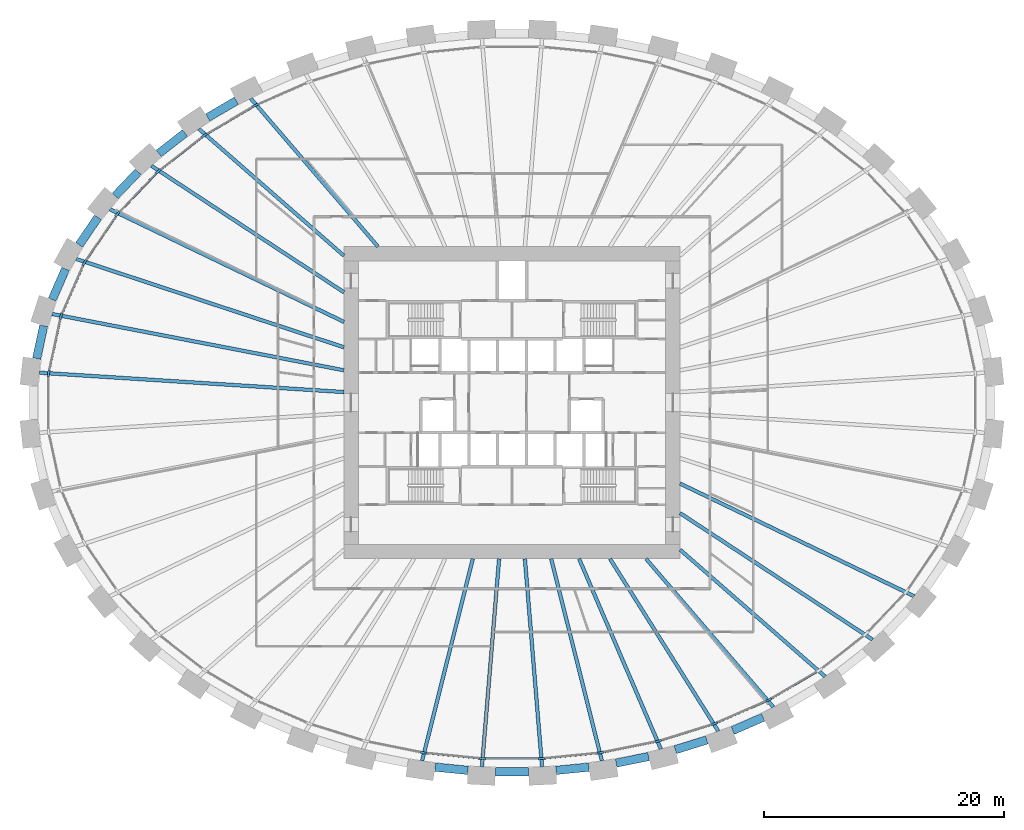
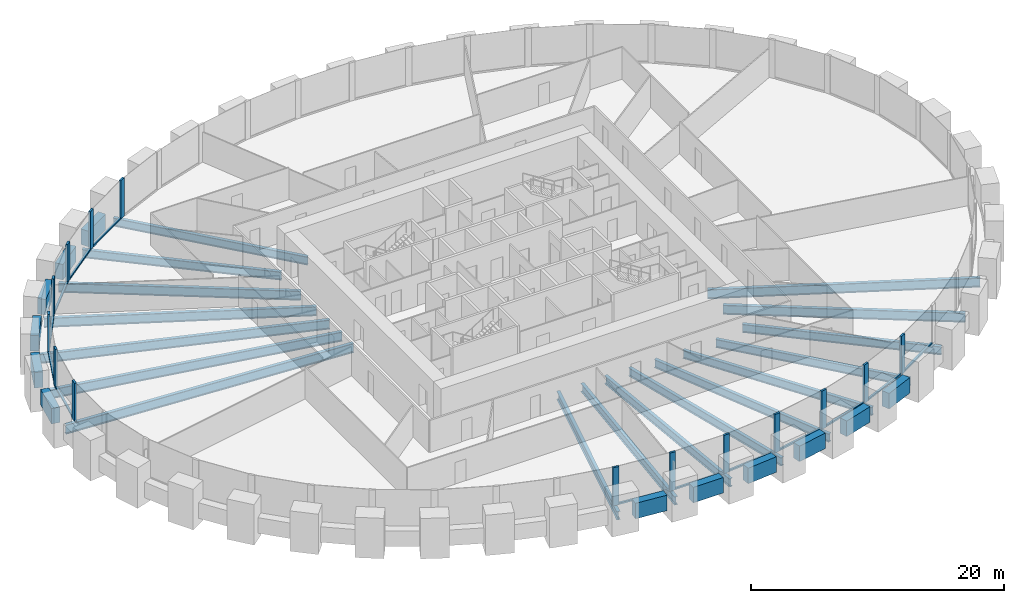
# One storey, part 2 of 11: 29 beams, 27 members, 1 element without a shape of its own.
"""IFC4 building model written with IfcOpenShell, lengths in metres."""

from ifc_helpers import new_model, si_unit, direction, frame, origin, origin_2d, place, context, subcontext, project, spatial, rectangle, i_section, extrude, source, transform, mapped, material, material_profile, profile_set, type_object, element, aggregate, save


model = new_model("IFC4")

# Units and contexts
model_context = context("Model", 3, precision=1e-05, world=origin(), true_north=direction((0.0, 1.0)))
body_context = subcontext(model_context, "Body", "Model", "MODEL_VIEW")
ifc_project = project(units=[si_unit("LENGTHUNIT", "METRE"), si_unit("AREAUNIT", "SQUARE_METRE"), si_unit("VOLUMEUNIT", "CUBIC_METRE"), si_unit("PLANEANGLEUNIT", "RADIAN"), si_unit("MASSUNIT", "GRAM", prefix="KILO")], contexts=[model_context])

# Site, building, storey
site_placement = place(None, origin())
site = spatial("IfcSite", under=ifc_project, at=site_placement, CompositionType="ELEMENT")
building_placement = place(site_placement, origin())
building = spatial("IfcBuilding", under=site, at=building_placement, Name="Embergate Tower", CompositionType="ELEMENT")
storey_placement = place(building_placement, frame((0.0, 0.0, 113.300048828125)))
storey = spatial("IfcBuildingStorey", under=building, at=storey_placement, Name="L24", CompositionType="ELEMENT", Elevation=113.300048828125)

# Beams
ifc_material_1 = material(Name="Concrete C70", Category="concrete")
ifc_material_profile_1 = material_profile(ifc_material_1, rectangle(XDim=0.699951171875, YDim=1.5, at=origin_2d()), Name="RC 700x1500")
ifc_profile_set_1 = profile_set([ifc_material_profile_1], Name="Concrete C70")
beam_type_1 = type_object("IfcBeamType", Name="Spandrel beam RC 700x1500 C70", PredefinedType="BEAM", material=ifc_profile_set_1)
shared_shape_1 = source(origin(), body_context, "Body", "SweptSolid", [
    extrude(rectangle(XDim=0.699951171875, YDim=1.5, at=origin_2d()), origin(), (0.0, 0.0, 1.0), 2.789306640625),
])
beam_1_placement = place(storey_placement, frame((-39.02001953125, 6.409912109375, 0.0), z_axis=(-0.210419662527, -0.977611152566, 0.0), x_axis=(0.977611152566, -0.210419662527, 0.0)))
element("IfcBeam", 1, at=beam_1_placement, inside=storey, type_object=beam_type_1, Name="SPN-L24-20", PredefinedType="BEAM", context=body_context, shape_type="MappedRepresentation", body=[
    mapped(shared_shape_1, transform((0.0, 0.0, 0.0))),
])
shared_shape_2 = source(origin(), body_context, "Body", "SweptSolid", [
    extrude(rectangle(XDim=0.699951171875, YDim=1.5, at=origin_2d()), origin(), (0.0, 0.0, 1.0), 2.78564453125),
])
beam_2_placement = place(storey_placement, frame((-37.193115234375, 11.14892578125, 0.0), z_axis=(-0.401669232295, -0.915784815242, 0.0), x_axis=(0.915784815242, -0.401669232295, 0.0)))
element("IfcBeam", 2, at=beam_2_placement, inside=storey, type_object=beam_type_1, Name="SPN-L24-19", PredefinedType="BEAM", context=body_context, shape_type="MappedRepresentation", body=[
    mapped(shared_shape_2, transform((0.0, 0.0, 0.0))),
])
shared_shape_3 = source(origin(), body_context, "Body", "SweptSolid", [
    extrude(rectangle(XDim=0.699951171875, YDim=1.5, at=origin_2d()), origin(), (0.0, 0.0, 1.0), 2.775634765625),
])
beam_3_placement = place(storey_placement, frame((-34.5009765625, 15.447021484375, 0.0), z_axis=(-0.562430313872, -0.826844690397, 0.0), x_axis=(0.826844690397, -0.562430313872, 0.0)))
element("IfcBeam", 3, at=beam_3_placement, inside=storey, type_object=beam_type_1, Name="SPN-L24-18", PredefinedType="BEAM", context=body_context, shape_type="MappedRepresentation", body=[
    mapped(shared_shape_3, transform((0.0, 0.0, 0.0))),
])
shared_shape_4 = source(origin(), body_context, "Body", "SweptSolid", [
    extrude(rectangle(XDim=0.699951171875, YDim=1.5, at=origin_2d()), origin(), (0.0, 0.0, 1.0), 2.770263671875),
])
beam_4_placement = place(storey_placement, frame((-31.14404296875, 19.241943359375, 0.0), z_axis=(-0.690119345663, -0.723695577395, 0.0), x_axis=(0.723695577395, -0.690119345663, 0.0)))
element("IfcBeam", 4, at=beam_4_placement, inside=storey, type_object=beam_type_1, Name="SPN-L24-17", PredefinedType="BEAM", context=body_context, shape_type="MappedRepresentation", body=[
    mapped(shared_shape_4, transform((0.0, 0.0, 0.0))),
])
shared_shape_5 = source(origin(), body_context, "Body", "SweptSolid", [
    extrude(rectangle(XDim=0.699951171875, YDim=1.5, at=origin_2d()), origin(), (0.0, 0.0, 1.0), 2.762939453125),
])
beam_5_placement = place(storey_placement, frame((-27.248046875, 22.470947265625, 0.0), z_axis=(-0.788304284462, -0.615285588242, 0.0), x_axis=(0.615285588242, -0.788304284462, 0.0)))
element("IfcBeam", 5, at=beam_5_placement, inside=storey, type_object=beam_type_1, Name="SPN-L24-16", PredefinedType="BEAM", context=body_context, shape_type="MappedRepresentation", body=[
    mapped(shared_shape_5, transform((0.0, 0.0, 0.0))),
])
shared_shape_6 = source(origin(), body_context, "Body", "SweptSolid", [
    extrude(rectangle(XDim=0.699951171875, YDim=1.5, at=origin_2d()), origin(), (0.0, 0.0, 1.0), 2.758544921875),
])
beam_6_placement = place(storey_placement, frame((-22.968017578125, 25.162109375, 0.0), z_axis=(-0.862027482261, -0.506861539108, 0.0), x_axis=(0.506861539108, -0.862027482261, 0.0)))
element("IfcBeam", 6, at=beam_6_placement, inside=storey, type_object=beam_type_1, Name="SPN-L24-15", PredefinedType="BEAM", context=body_context, shape_type="MappedRepresentation", body=[
    mapped(shared_shape_6, transform((0.0, 0.0, 0.0))),
])
shared_shape_7 = source(origin(), body_context, "Body", "SweptSolid", [
    extrude(rectangle(XDim=0.699951171875, YDim=1.5, at=origin_2d()), origin(), (0.0, 0.0, 1.0), 2.75537109375),
])
beam_7_placement = place(storey_placement, frame((18.39404296875, -27.31103515625, 0.0), z_axis=(0.916372764163, 0.400326063478, 0.0), x_axis=(-0.400326063478, 0.916372764163, 0.0)))
element("IfcBeam", 7, at=beam_7_placement, inside=storey, type_object=beam_type_1, Name="SPN-L24-36", PredefinedType="BEAM", context=body_context, shape_type="MappedRepresentation", body=[
    mapped(shared_shape_7, transform((0.0, 0.0, 0.0))),
])
shared_shape_8 = source(origin(), body_context, "Body", "SweptSolid", [
    extrude(rectangle(XDim=0.699951171875, YDim=1.5, at=origin_2d()), origin(), (0.0, 0.0, 1.0), 2.750732421875),
])
beam_8_placement = place(storey_placement, frame((13.60595703125, -28.9150390625, 0.0), z_axis=(0.954637769475, 0.297769590609, 0.0), x_axis=(-0.297769590609, 0.954637769475, 0.0)))
element("IfcBeam", 8, at=beam_8_placement, inside=storey, type_object=beam_type_1, Name="SPN-L24-35", PredefinedType="BEAM", context=body_context, shape_type="MappedRepresentation", body=[
    mapped(shared_shape_8, transform((0.0, 0.0, 0.0))),
])
shared_shape_9 = source(origin(), body_context, "Body", "SweptSolid", [
    extrude(rectangle(XDim=0.699951171875, YDim=1.5, at=origin_2d()), origin(), (0.0, 0.0, 1.0), 2.749755859375),
])
beam_9_placement = place(storey_placement, frame((8.680908203125, -30.02392578125, 0.0), z_axis=(0.98045412413, 0.196747834743, 0.0), x_axis=(-0.196747834743, 0.98045412413, 0.0)))
element("IfcBeam", 9, at=beam_9_placement, inside=storey, type_object=beam_type_1, Name="SPN-L24-34", PredefinedType="BEAM", context=body_context, shape_type="MappedRepresentation", body=[
    mapped(shared_shape_9, transform((0.0, 0.0, 0.0))),
])
shared_shape_10 = source(origin(), body_context, "Body", "SweptSolid", [
    extrude(rectangle(XDim=0.699951171875, YDim=1.5, at=origin_2d()), origin(), (0.0, 0.0, 1.0), 2.748291015625),
])
for number, where, z_axis, x_axis, name in (
    (10, (-6.406005859375, -30.363037109375, 0.0), (0.995196843386, -0.097894039223, 0.0), (0.097894039223, 0.995196843386, 0.0), "SPN-L24-31"),
    (11, (3.6708984375, -30.632080078125, 0.0), (0.995196843386, 0.097894039223, 0.0), (-0.097894039223, 0.995196843386, 0.0), "SPN-L24-33"),
):
    element("IfcBeam", number, at=place(storey_placement, frame(where, z_axis=z_axis, x_axis=x_axis)), inside=storey, type_object=beam_type_1, Name=name, PredefinedType="BEAM", context=body_context, shape_type="MappedRepresentation", body=[
        mapped(shared_shape_10, transform((0.0, 0.0, 0.0))),
    ])
shared_shape_11 = source(origin(), body_context, "Body", "SweptSolid", [
    extrude(rectangle(XDim=0.699951171875, YDim=1.5, at=origin_2d()), origin(), (0.0, 0.0, 1.0), 2.748046875),
])
beam_10_placement = place(storey_placement, frame((-1.3740234375, -30.7451171875, 0.0), z_axis=(1.0, 0.0, 0.0), x_axis=(0.0, 1.0, 0.0)))
element("IfcBeam", 12, at=beam_10_placement, inside=storey, type_object=beam_type_1, Name="SPN-L24-32", PredefinedType="BEAM", context=body_context, shape_type="MappedRepresentation", body=[
    mapped(shared_shape_11, transform((0.0, 0.0, 0.0))),
])
ifc_material_2 = material(Name="Steel Q355B", Category="steel")
ifc_material_profile_2 = material_profile(ifc_material_2, i_section(OverallWidth=0.300048828125, OverallDepth=0.89990234375, WebThickness=0.01611328125, FlangeThickness=0.028076171875, FilletRadius=0.028076171875, at=origin_2d()), Name="HN 900x300x16x28")
ifc_profile_set_2 = profile_set([ifc_material_profile_2], Name="Steel Q355 grade B")
beam_type_2 = type_object("IfcBeamType", Name="Radial girder HN 900x300x16x28", PredefinedType="BEAM", material=ifc_profile_set_2)
shared_shape_12 = source(origin(), body_context, "Body", "SweptSolid", [
    extrude(i_section(OverallWidth=0.300048828125, OverallDepth=0.89990234375, WebThickness=0.01611328125, FlangeThickness=0.028076171875, FilletRadius=0.028076171875, at=origin_2d()), origin(), (0.0, 0.0, 1.0), 25.43115234375),
])
beam_11_placement = place(storey_placement, frame((-39.3798828125, 2.501953125, -0.650146484375), z_axis=(0.997986432318, -0.063427761344, 0.0), x_axis=(0.063427761344, 0.997986432318, 0.0)))
element("IfcBeam", 13, at=beam_11_placement, inside=storey, type_object=beam_type_2, Name="GIR-L24-21", PredefinedType="BEAM", context=body_context, shape_type="MappedRepresentation", body=[
    mapped(shared_shape_12, transform((0.0, 0.0, 0.0))),
])
shared_shape_13 = source(origin(), body_context, "Body", "SweptSolid", [
    extrude(i_section(OverallWidth=0.300048828125, OverallDepth=0.89990234375, WebThickness=0.01611328125, FlangeThickness=0.028076171875, FilletRadius=0.028076171875, at=origin_2d()), origin(), (0.0, 0.0, 1.0), 24.775390625),
])
beam_12_placement = place(storey_placement, frame((-38.326904296875, 7.39404296875, -0.650146484375), z_axis=(0.981895013442, -0.189425929, 0.0), x_axis=(0.189425929, 0.981895013442, 0.0)))
element("IfcBeam", 14, at=beam_12_placement, inside=storey, type_object=beam_type_2, Name="GIR-L24-20", PredefinedType="BEAM", context=body_context, shape_type="MappedRepresentation", body=[
    mapped(shared_shape_13, transform((0.0, 0.0, 0.0))),
])
shared_shape_14 = source(origin(), body_context, "Body", "SweptSolid", [
    extrude(i_section(OverallWidth=0.300048828125, OverallDepth=0.89990234375, WebThickness=0.01611328125, FlangeThickness=0.028076171875, FilletRadius=0.028076171875, at=origin_2d()), origin(), (0.0, 0.0, 1.0), 23.499267578125),
])
beam_13_placement = place(storey_placement, frame((-36.31689453125, 11.97705078125, -0.650146484375), z_axis=(0.949685213061, -0.31320599626, 0.0), x_axis=(0.31320599626, 0.949685213061, 0.0)))
element("IfcBeam", 15, at=beam_13_placement, inside=storey, type_object=beam_type_2, Name="GIR-L24-19", PredefinedType="BEAM", context=body_context, shape_type="MappedRepresentation", body=[
    mapped(shared_shape_14, transform((0.0, 0.0, 0.0))),
])
shared_shape_15 = source(origin(), body_context, "Body", "SweptSolid", [
    extrude(i_section(OverallWidth=0.300048828125, OverallDepth=0.89990234375, WebThickness=0.01611328125, FlangeThickness=0.028076171875, FilletRadius=0.028076171875, at=origin_2d()), origin(), (0.0, 0.0, 1.0), 21.641357421875),
])
for number, where, z_axis, x_axis, name in (
    (16, (-33.501953125, 16.116943359375, -0.650146484375), (0.901145989674, -0.433515749765, 0.0), (0.433515749765, 0.901145989674, 0.0), "GIR-L24-18"),
    (17, (33.501953125, -16.116943359375, -0.650146484375), (-0.901145989674, 0.433515749765, 0.0), (-0.433515749765, -0.901145989674, 0.0), "GIR-L24-40"),
):
    element("IfcBeam", number, at=place(storey_placement, frame(where, z_axis=z_axis, x_axis=x_axis)), inside=storey, type_object=beam_type_2, Name=name, PredefinedType="BEAM", context=body_context, shape_type="MappedRepresentation", body=[
        mapped(shared_shape_15, transform((0.0, 0.0, 0.0))),
    ])
shared_shape_16 = source(origin(), body_context, "Body", "SweptSolid", [
    extrude(i_section(OverallWidth=0.300048828125, OverallDepth=0.89990234375, WebThickness=0.01611328125, FlangeThickness=0.028076171875, FilletRadius=0.028076171875, at=origin_2d()), origin(), (0.0, 0.0, 1.0), 19.19970703125),
])
for number, where, z_axis, x_axis, name in (
    (18, (-30.0458984375, 19.741943359375, -0.650146484375), (0.835740827345, -0.549124092996, 0.0), (0.549124092996, 0.835740827345, 0.0), "GIR-L24-17"),
    (19, (30.0458984375, -19.741943359375, -0.650146484375), (-0.835740827345, 0.549124092996, 0.0), (-0.549124092996, -0.835740827345, 0.0), "GIR-L24-39"),
):
    element("IfcBeam", number, at=place(storey_placement, frame(where, z_axis=z_axis, x_axis=x_axis)), inside=storey, type_object=beam_type_2, Name=name, PredefinedType="BEAM", context=body_context, shape_type="MappedRepresentation", body=[
        mapped(shared_shape_16, transform((0.0, 0.0, 0.0))),
    ])
ifc_material_profile_3 = material_profile(ifc_material_2, i_section(OverallWidth=0.300048828125, OverallDepth=0.800048828125, WebThickness=0.013916015625, FlangeThickness=0.02587890625, FilletRadius=0.028076171875, at=origin_2d()), Name="HN 800x300x14x26")
ifc_profile_set_3 = profile_set([ifc_material_profile_3], Name="Steel Q355 grade B")
beam_type_3 = type_object("IfcBeamType", Name="Radial girder HN 800x300x14x26", PredefinedType="BEAM", material=ifc_profile_set_3)
shared_shape_17 = source(origin(), body_context, "Body", "SweptSolid", [
    extrude(i_section(OverallWidth=0.300048828125, OverallDepth=0.800048828125, WebThickness=0.013916015625, FlangeThickness=0.02587890625, FilletRadius=0.028076171875, at=origin_2d()), origin(), (0.0, 0.0, 1.0), 16.071533203125),
])
for number, where, z_axis, x_axis, name in (
    (20, (-26.097900390625, 22.822998046875, -0.60009765625), (0.752748875992, -0.658307777329, 0.0), (0.658307777329, 0.752748875992, 0.0), "GIR-L24-16"),
    (21, (26.097900390625, -22.822998046875, -0.60009765625), (-0.752748875992, 0.658307777329, 0.0), (-0.658307777329, -0.752748875992, 0.0), "GIR-L24-38"),
):
    element("IfcBeam", number, at=place(storey_placement, frame(where, z_axis=z_axis, x_axis=x_axis)), inside=storey, type_object=beam_type_3, Name=name, PredefinedType="BEAM", context=body_context, shape_type="MappedRepresentation", body=[
        mapped(shared_shape_17, transform((0.0, 0.0, 0.0))),
    ])
shared_shape_18 = source(origin(), body_context, "Body", "SweptSolid", [
    extrude(i_section(OverallWidth=0.300048828125, OverallDepth=0.800048828125, WebThickness=0.013916015625, FlangeThickness=0.02587890625, FilletRadius=0.028076171875, at=origin_2d()), origin(), (0.0, 0.0, 1.0), 16.294677734375),
])
for number, where, z_axis, x_axis, name in (
    (22, (-21.779052734375, 25.362060546875, -0.60009765625), (0.651495635829, -0.758652381856, 0.0), (0.758652381856, 0.651495635829, 0.0), "GIR-L24-15"),
    (23, (21.779052734375, -25.362060546875, -0.60009765625), (-0.651495635829, 0.758652381856, 0.0), (-0.758652381856, -0.651495635829, 0.0), "GIR-L24-37"),
):
    element("IfcBeam", number, at=place(storey_placement, frame(where, z_axis=z_axis, x_axis=x_axis)), inside=storey, type_object=beam_type_3, Name=name, PredefinedType="BEAM", context=body_context, shape_type="MappedRepresentation", body=[
        mapped(shared_shape_18, transform((0.0, 0.0, 0.0))),
    ])
shared_shape_19 = source(origin(), body_context, "Body", "SweptSolid", [
    extrude(i_section(OverallWidth=0.300048828125, OverallDepth=0.800048828125, WebThickness=0.013916015625, FlangeThickness=0.02587890625, FilletRadius=0.028076171875, at=origin_2d()), origin(), (0.0, 0.0, 1.0), 16.968017578125),
])
beam_14_placement = place(storey_placement, frame((17.18896484375, -27.368896484375, -0.60009765625), z_axis=(-0.53187684388, 0.846821718513, 0.0), x_axis=(-0.846821718513, -0.53187684388, 0.0)))
element("IfcBeam", 24, at=beam_14_placement, inside=storey, type_object=beam_type_3, Name="GIR-L24-36", PredefinedType="BEAM", context=body_context, shape_type="MappedRepresentation", body=[
    mapped(shared_shape_19, transform((0.0, 0.0, 0.0))),
])
shared_shape_20 = source(origin(), body_context, "Body", "SweptSolid", [
    extrude(i_section(OverallWidth=0.300048828125, OverallDepth=0.800048828125, WebThickness=0.013916015625, FlangeThickness=0.02587890625, FilletRadius=0.028076171875, at=origin_2d()), origin(), (0.0, 0.0, 1.0), 17.261962890625),
])
beam_15_placement = place(storey_placement, frame((12.405029296875, -28.85888671875, -0.60009765625), z_axis=(-0.394921038266, 0.918715066566, 0.0), x_axis=(-0.918715066566, -0.394921038266, 0.0)))
element("IfcBeam", 25, at=beam_15_placement, inside=storey, type_object=beam_type_3, Name="GIR-L24-35", PredefinedType="BEAM", context=body_context, shape_type="MappedRepresentation", body=[
    mapped(shared_shape_20, transform((0.0, 0.0, 0.0))),
])
shared_shape_21 = source(origin(), body_context, "Body", "SweptSolid", [
    extrude(i_section(OverallWidth=0.300048828125, OverallDepth=0.800048828125, WebThickness=0.013916015625, FlangeThickness=0.02587890625, FilletRadius=0.028076171875, at=origin_2d()), origin(), (0.0, 0.0, 1.0), 17.36669921875),
])
for number, where, z_axis, x_axis, name in (
    (26, (-7.491943359375, -29.843994140625, -0.60009765625), (0.243511287378, 0.969898063159, 0.0), (-0.969898063159, 0.243511287378, 0.0), "GIR-L24-31"),
    (27, (7.491943359375, -29.843994140625, -0.60009765625), (-0.243511287378, 0.969898063159, 0.0), (-0.969898063159, -0.243511287378, 0.0), "GIR-L24-34"),
):
    element("IfcBeam", number, at=place(storey_placement, frame(where, z_axis=z_axis, x_axis=x_axis)), inside=storey, type_object=beam_type_3, Name=name, PredefinedType="BEAM", context=body_context, shape_type="MappedRepresentation", body=[
        mapped(shared_shape_21, transform((0.0, 0.0, 0.0))),
    ])
shared_shape_22 = source(origin(), body_context, "Body", "SweptSolid", [
    extrude(i_section(OverallWidth=0.300048828125, OverallDepth=0.800048828125, WebThickness=0.013916015625, FlangeThickness=0.02587890625, FilletRadius=0.028076171875, at=origin_2d()), origin(), (0.0, 0.0, 1.0), 17.393798828125),
])
for number, where, z_axis, x_axis, name in (
    (28, (-2.5048828125, -30.3349609375, -0.60009765625), (0.082264860463, 0.996610502018, 0.0), (-0.996610502018, 0.082264860463, 0.0), "GIR-L24-32"),
    (29, (2.5048828125, -30.3349609375, -0.60009765625), (-0.082264860463, 0.996610502018, 0.0), (-0.996610502018, -0.082264860463, 0.0), "GIR-L24-33"),
):
    element("IfcBeam", number, at=place(storey_placement, frame(where, z_axis=z_axis, x_axis=x_axis)), inside=storey, type_object=beam_type_3, Name=name, PredefinedType="BEAM", context=body_context, shape_type="MappedRepresentation", body=[
        mapped(shared_shape_22, transform((0.0, 0.0, 0.0))),
    ])

# Curtain wall, members
ifc_material_3 = material(Name="Aluminium and glass", Category="aluminium")
curtain_wall_type = type_object("IfcCurtainWallType", Name="Recessed office glazing", PredefinedType="NOTDEFINED", material=ifc_material_3)
curtain_wall_placement = place(storey_placement, origin())
curtain_wall = element("IfcCurtainWall", 30, at=curtain_wall_placement, inside=storey, type_object=curtain_wall_type, Name="Recessed office glazing ring", ObjectType="RECESSED OFFICE GLAZING", PredefinedType="USERDEFINED")
ifc_material_4 = material(Name="Aluminium, thermally broken", Category="aluminium")
ifc_material_profile_4 = material_profile(ifc_material_4, rectangle(XDim=0.179931640625, YDim=0.52001953125, at=origin_2d()), Name="AL 520x180")
ifc_profile_set_4 = profile_set([ifc_material_profile_4], Name="Aluminium, thermally broken")
member_type_1 = type_object("IfcMemberType", Name="Office mullion", PredefinedType="MULLION", material=ifc_profile_set_4)
shared_shape_23 = source(origin(), body_context, "Body", "SweptSolid", [
    extrude(rectangle(XDim=0.179931640625, YDim=0.52001953125, at=origin_2d()), origin(), (0.0, 0.0, 1.0), 3.699951171875),
])
member_1_placement = place(storey_placement, frame((-21.391357421875, 24.768310546875, 0.0), z_axis=(0.0, 0.0, 1.0), x_axis=(0.454516044429, -0.890738550506, 0.0)))
member_1 = element("IfcMember", 31, at=member_1_placement, type_object=member_type_1, Name="CW mullion 16", PredefinedType="MULLION", context=body_context, shape_type="MappedRepresentation", body=[
    mapped(shared_shape_23, transform((0.0, 0.0, 0.0))),
])
member_2_placement = place(storey_placement, frame((-25.6259765625, 22.278564453125, 0.0), z_axis=(0.0, 0.0, 1.0), x_axis=(0.562223392005, -0.826985403428, 0.0)))
member_2 = element("IfcMember", 32, at=member_2_placement, type_object=member_type_1, Name="CW mullion 17", PredefinedType="MULLION", context=body_context, shape_type="MappedRepresentation", body=[
    mapped(shared_shape_23, transform((0.0, 0.0, 0.0))),
])
member_3_placement = place(storey_placement, frame((-29.49365234375, 19.260009765625, 0.0), z_axis=(0.0, 0.0, 1.0), x_axis=(0.671233002577, -0.741246420734, 0.0)))
member_3 = element("IfcMember", 33, at=member_3_placement, type_object=member_type_1, Name="CW mullion 18", PredefinedType="MULLION", context=body_context, shape_type="MappedRepresentation", body=[
    mapped(shared_shape_23, transform((0.0, 0.0, 0.0))),
])
member_4_placement = place(storey_placement, frame((-32.87451171875, 15.714599609375, 0.0), z_axis=(0.0, 0.0, 1.0), x_axis=(0.777879145133, -0.628413904658, 0.0)))
member_4 = element("IfcMember", 34, at=member_4_placement, type_object=member_type_1, Name="CW mullion 19", PredefinedType="MULLION", context=body_context, shape_type="MappedRepresentation", body=[
    mapped(shared_shape_23, transform((0.0, 0.0, 0.0))),
])
member_5_placement = place(storey_placement, frame((-35.62451171875, 11.6708984375, 0.0), z_axis=(0.0, 0.0, 1.0), x_axis=(0.875006965472, -0.484110328723, 0.0)))
member_5 = element("IfcMember", 35, at=member_5_placement, type_object=member_type_1, Name="CW mullion 20", PredefinedType="MULLION", context=body_context, shape_type="MappedRepresentation", body=[
    mapped(shared_shape_23, transform((0.0, 0.0, 0.0))),
])
member_6_placement = place(storey_placement, frame((-37.5849609375, 7.20068359375, 0.0), z_axis=(0.0, 0.0, 1.0), x_axis=(0.951500482757, -0.30764725143, 0.0)))
member_6 = element("IfcMember", 36, at=member_6_placement, type_object=member_type_1, Name="CW mullion 21", PredefinedType="MULLION", context=body_context, shape_type="MappedRepresentation", body=[
    mapped(shared_shape_23, transform((0.0, 0.0, 0.0))),
])
member_7_placement = place(storey_placement, frame((-38.610595703125, 2.435791015625, 0.0), z_axis=(0.0, 0.0, 1.0), x_axis=(0.994385324123, -0.105819786286, 0.0)))
member_7 = element("IfcMember", 37, at=member_7_placement, type_object=member_type_1, Name="CW mullion 22", PredefinedType="MULLION", context=body_context, shape_type="MappedRepresentation", body=[
    mapped(shared_shape_23, transform((0.0, 0.0, 0.0))),
])
member_8_placement = place(storey_placement, frame((-7.3623046875, -29.169189453125, 0.0), z_axis=(0.0, 0.0, 1.0), x_axis=(0.14741410908, 0.98907486089, 0.0)))
member_8 = element("IfcMember", 38, at=member_8_placement, type_object=member_type_1, Name="CW mullion 32", PredefinedType="MULLION", context=body_context, shape_type="MappedRepresentation", body=[
    mapped(shared_shape_23, transform((0.0, 0.0, 0.0))),
])
member_9_placement = place(storey_placement, frame((-2.462158203125, -29.65087890625, 0.0), z_axis=(0.0, 0.0, 1.0), x_axis=(0.048971796621, 0.998800161762, 0.0)))
member_9 = element("IfcMember", 39, at=member_9_placement, type_object=member_type_1, Name="CW mullion 33", PredefinedType="MULLION", context=body_context, shape_type="MappedRepresentation", body=[
    mapped(shared_shape_23, transform((0.0, 0.0, 0.0))),
])
member_10_placement = place(storey_placement, frame((2.462158203125, -29.65087890625, 0.0), z_axis=(0.0, 0.0, 1.0), x_axis=(-0.048971796621, 0.998800161762, 0.0)))
member_10 = element("IfcMember", 40, at=member_10_placement, type_object=member_type_1, Name="CW mullion 34", PredefinedType="MULLION", context=body_context, shape_type="MappedRepresentation", body=[
    mapped(shared_shape_23, transform((0.0, 0.0, 0.0))),
])
member_11_placement = place(storey_placement, frame((7.3623046875, -29.169189453125, 0.0), z_axis=(0.0, 0.0, 1.0), x_axis=(-0.14741410908, 0.98907486089, 0.0)))
member_11 = element("IfcMember", 41, at=member_11_placement, type_object=member_type_1, Name="CW mullion 35", PredefinedType="MULLION", context=body_context, shape_type="MappedRepresentation", body=[
    mapped(shared_shape_23, transform((0.0, 0.0, 0.0))),
])
member_12_placement = place(storey_placement, frame((12.1884765625, -28.201171875, 0.0), z_axis=(0.0, 0.0, 1.0), x_axis=(-0.247315263593, 0.968935065107, 0.0)))
member_12 = element("IfcMember", 42, at=member_12_placement, type_object=member_type_1, Name="CW mullion 36", PredefinedType="MULLION", context=body_context, shape_type="MappedRepresentation", body=[
    mapped(shared_shape_23, transform((0.0, 0.0, 0.0))),
])
member_13_placement = place(storey_placement, frame((16.88623046875, -26.73828125, 0.0), z_axis=(0.0, 0.0, 1.0), x_axis=(-0.34950595337, 0.936934143128, 0.0)))
member_13 = element("IfcMember", 43, at=member_13_placement, type_object=member_type_1, Name="CW mullion 37", PredefinedType="MULLION", context=body_context, shape_type="MappedRepresentation", body=[
    mapped(shared_shape_23, transform((0.0, 0.0, 0.0))),
])
member_14_placement = place(storey_placement, frame((21.391357421875, -24.768310546875, 0.0), z_axis=(0.0, 0.0, 1.0), x_axis=(-0.454516044429, 0.890738550506, 0.0)))
member_14 = element("IfcMember", 44, at=member_14_placement, type_object=member_type_1, Name="CW mullion 38", PredefinedType="MULLION", context=body_context, shape_type="MappedRepresentation", body=[
    mapped(shared_shape_23, transform((0.0, 0.0, 0.0))),
])
ifc_material_profile_5 = material_profile(ifc_material_4, rectangle(XDim=0.179931640625, YDim=0.14990234375, at=origin_2d()), Name="AL 150x180")
ifc_profile_set_5 = profile_set([ifc_material_profile_5], Name="Aluminium, thermally broken")
member_type_2 = type_object("IfcMemberType", Name="Office sill transom", PredefinedType="USERDEFINED", material=ifc_profile_set_5)
shared_shape_24 = source(origin(), body_context, "Body", "SweptSolid", [
    extrude(rectangle(XDim=0.179931640625, YDim=0.14990234375, at=origin_2d()), origin(), (0.0, 0.0, 1.0), 4.361083984375),
])
member_15_placement = place(storey_placement, frame((-35.72900390625, 11.432861328125, 0.074951171875), z_axis=(-0.401614544281, -0.915808799817, 0.0), x_axis=(0.915808799817, -0.401614544281, 0.0)))
member_15 = element("IfcMember", 45, at=member_15_placement, type_object=member_type_2, Name="CW transom 20.1", ObjectType="TRANSOM", PredefinedType="USERDEFINED", context=body_context, shape_type="MappedRepresentation", body=[
    mapped(shared_shape_24, transform((0.0, 0.0, 0.0))),
])
shared_shape_25 = source(origin(), body_context, "Body", "SweptSolid", [
    extrude(rectangle(XDim=0.179931640625, YDim=0.14990234375, at=origin_2d()), origin(), (0.0, 0.0, 1.0), 4.37890625),
])
member_16_placement = place(storey_placement, frame((-29.673095703125, 19.07177734375, 0.074951171875), z_axis=(-0.690125589668, -0.723689623032, 0.0), x_axis=(0.723689623032, -0.690125589668, 0.0)))
member_16 = element("IfcMember", 46, at=member_16_placement, type_object=member_type_2, Name="CW transom 18.1", ObjectType="TRANSOM", PredefinedType="USERDEFINED", context=body_context, shape_type="MappedRepresentation", body=[
    mapped(shared_shape_25, transform((0.0, 0.0, 0.0))),
])
shared_shape_26 = source(origin(), body_context, "Body", "SweptSolid", [
    extrude(rectangle(XDim=0.179931640625, YDim=0.14990234375, at=origin_2d()), origin(), (0.0, 0.0, 1.0), 4.404296875),
])
member_17_placement = place(storey_placement, frame((-2.2021484375, -29.65087890625, 0.074951171875), z_axis=(1.0, 0.0, 0.0), x_axis=(0.0, 1.0, 0.0)))
member_17 = element("IfcMember", 47, at=member_17_placement, type_object=member_type_2, Name="CW transom 33.1", ObjectType="TRANSOM", PredefinedType="USERDEFINED", context=body_context, shape_type="MappedRepresentation", body=[
    mapped(shared_shape_26, transform((0.0, 0.0, 0.0))),
])
shared_shape_27 = source(origin(), body_context, "Body", "SweptSolid", [
    extrude(rectangle(XDim=0.179931640625, YDim=0.14990234375, at=origin_2d()), origin(), (0.0, 0.0, 1.0), 4.354248046875),
])
member_18_placement = place(storey_placement, frame((-37.6396484375, 6.94677734375, 0.074951171875), z_axis=(-0.21042500241, -0.977610003202, 0.0), x_axis=(0.977610003202, -0.21042500241, 0.0)))
member_18 = element("IfcMember", 48, at=member_18_placement, type_object=member_type_2, Name="CW transom 21.1", ObjectType="TRANSOM", PredefinedType="USERDEFINED", context=body_context, shape_type="MappedRepresentation", body=[
    mapped(shared_shape_27, transform((0.0, 0.0, 0.0))),
])
shared_shape_28 = source(origin(), body_context, "Body", "SweptSolid", [
    extrude(rectangle(XDim=0.179931640625, YDim=0.14990234375, at=origin_2d()), origin(), (0.0, 0.0, 1.0), 4.3701171875),
])
member_19_placement = place(storey_placement, frame((-33.020751953125, 15.499755859375, 0.074951171875), z_axis=(-0.562334469625, -0.826909876753, 0.0), x_axis=(0.826909876753, -0.562334469625, 0.0)))
member_19 = element("IfcMember", 49, at=member_19_placement, type_object=member_type_2, Name="CW transom 19.1", ObjectType="TRANSOM", PredefinedType="USERDEFINED", context=body_context, shape_type="MappedRepresentation", body=[
    mapped(shared_shape_28, transform((0.0, 0.0, 0.0))),
])
shared_shape_29 = source(origin(), body_context, "Body", "SweptSolid", [
    extrude(rectangle(XDim=0.179931640625, YDim=0.14990234375, at=origin_2d()), origin(), (0.0, 0.0, 1.0), 4.386474609375),
])
member_20_placement = place(storey_placement, frame((-25.830810546875, 22.11865234375, 0.074951171875), z_axis=(-0.78833816957, -0.615242172156, 0.0), x_axis=(0.615242172156, -0.78833816957, 0.0)))
member_20 = element("IfcMember", 50, at=member_20_placement, type_object=member_type_2, Name="CW transom 17.1", ObjectType="TRANSOM", PredefinedType="USERDEFINED", context=body_context, shape_type="MappedRepresentation", body=[
    mapped(shared_shape_29, transform((0.0, 0.0, 0.0))),
])
shared_shape_30 = source(origin(), body_context, "Body", "SweptSolid", [
    extrude(rectangle(XDim=0.179931640625, YDim=0.14990234375, at=origin_2d()), origin(), (0.0, 0.0, 1.0), 4.392333984375),
])
member_21_placement = place(storey_placement, frame((-21.615478515625, 24.63671875, 0.074951171875), z_axis=(-0.862029933252, -0.506857370645, 0.0), x_axis=(0.506857370645, -0.862029933252, 0.0)))
member_21 = element("IfcMember", 51, at=member_21_placement, type_object=member_type_2, Name="CW transom 16.1", ObjectType="TRANSOM", PredefinedType="USERDEFINED", context=body_context, shape_type="MappedRepresentation", body=[
    mapped(shared_shape_30, transform((0.0, 0.0, 0.0))),
])
member_22_placement = place(storey_placement, frame((21.615478515625, -24.63671875, 0.074951171875), z_axis=(0.862029933252, 0.506857370645, 0.0), x_axis=(-0.506857370645, 0.862029933252, 0.0)))
member_22 = element("IfcMember", 52, at=member_22_placement, type_object=member_type_2, Name="CW transom 38.1", ObjectType="TRANSOM", PredefinedType="USERDEFINED", context=body_context, shape_type="MappedRepresentation", body=[
    mapped(shared_shape_30, transform((0.0, 0.0, 0.0))),
])
shared_shape_31 = source(origin(), body_context, "Body", "SweptSolid", [
    extrude(rectangle(XDim=0.179931640625, YDim=0.14990234375, at=origin_2d()), origin(), (0.0, 0.0, 1.0), 4.396728515625),
])
member_23_placement = place(storey_placement, frame((17.12451171875, -26.634033203125, 0.074951171875), z_axis=(0.91624269748, 0.400623662949, 0.0), x_axis=(-0.400623662949, 0.91624269748, 0.0)))
member_23 = element("IfcMember", 53, at=member_23_placement, type_object=member_type_2, Name="CW transom 37.1", ObjectType="TRANSOM", PredefinedType="USERDEFINED", context=body_context, shape_type="MappedRepresentation", body=[
    mapped(shared_shape_31, transform((0.0, 0.0, 0.0))),
])
shared_shape_32 = source(origin(), body_context, "Body", "SweptSolid", [
    extrude(rectangle(XDim=0.179931640625, YDim=0.14990234375, at=origin_2d()), origin(), (0.0, 0.0, 1.0), 4.400146484375),
])
member_24_placement = place(storey_placement, frame((12.436767578125, -28.123779296875, 0.074951171875), z_axis=(0.954787500192, 0.297289134474, 0.0), x_axis=(-0.297289134474, 0.954787500192, 0.0)))
member_24 = element("IfcMember", 54, at=member_24_placement, type_object=member_type_2, Name="CW transom 36.1", ObjectType="TRANSOM", PredefinedType="USERDEFINED", context=body_context, shape_type="MappedRepresentation", body=[
    mapped(shared_shape_32, transform((0.0, 0.0, 0.0))),
])
shared_shape_33 = source(origin(), body_context, "Body", "SweptSolid", [
    extrude(rectangle(XDim=0.179931640625, YDim=0.14990234375, at=origin_2d()), origin(), (0.0, 0.0, 1.0), 4.40234375),
])
member_25_placement = place(storey_placement, frame((7.6171875, -29.1181640625, 0.074951171875), z_axis=(0.980473883267, 0.196649343329, 0.0), x_axis=(-0.196649343329, 0.980473883267, 0.0)))
member_25 = element("IfcMember", 55, at=member_25_placement, type_object=member_type_2, Name="CW transom 35.1", ObjectType="TRANSOM", PredefinedType="USERDEFINED", context=body_context, shape_type="MappedRepresentation", body=[
    mapped(shared_shape_33, transform((0.0, 0.0, 0.0))),
])
shared_shape_34 = source(origin(), body_context, "Body", "SweptSolid", [
    extrude(rectangle(XDim=0.179931640625, YDim=0.14990234375, at=origin_2d()), origin(), (0.0, 0.0, 1.0), 4.404052734375),
])
member_26_placement = place(storey_placement, frame((-7.103515625, -29.194580078125, 0.074951171875), z_axis=(0.995201571056, -0.097845965514, 0.0), x_axis=(0.097845965514, 0.995201571056, 0.0)))
member_26 = element("IfcMember", 56, at=member_26_placement, type_object=member_type_2, Name="CW transom 32.1", ObjectType="TRANSOM", PredefinedType="USERDEFINED", context=body_context, shape_type="MappedRepresentation", body=[
    mapped(shared_shape_34, transform((0.0, 0.0, 0.0))),
])
member_27_placement = place(storey_placement, frame((2.720703125, -29.62548828125, 0.074951171875), z_axis=(0.995201571056, 0.097845965514, 0.0), x_axis=(-0.097845965514, 0.995201571056, 0.0)))
member_27 = element("IfcMember", 57, at=member_27_placement, type_object=member_type_2, Name="CW transom 34.1", ObjectType="TRANSOM", PredefinedType="USERDEFINED", context=body_context, shape_type="MappedRepresentation", body=[
    mapped(shared_shape_34, transform((0.0, 0.0, 0.0))),
])
aggregate(curtain_wall, [member_1, member_2, member_3, member_4, member_5, member_6, member_7, member_8, member_9, member_10, member_11, member_12, member_13, member_14, member_21, member_20, member_16, member_19, member_15, member_18, member_26, member_17, member_27, member_25, member_24, member_23, member_22])

save(model, "model.ifc")
